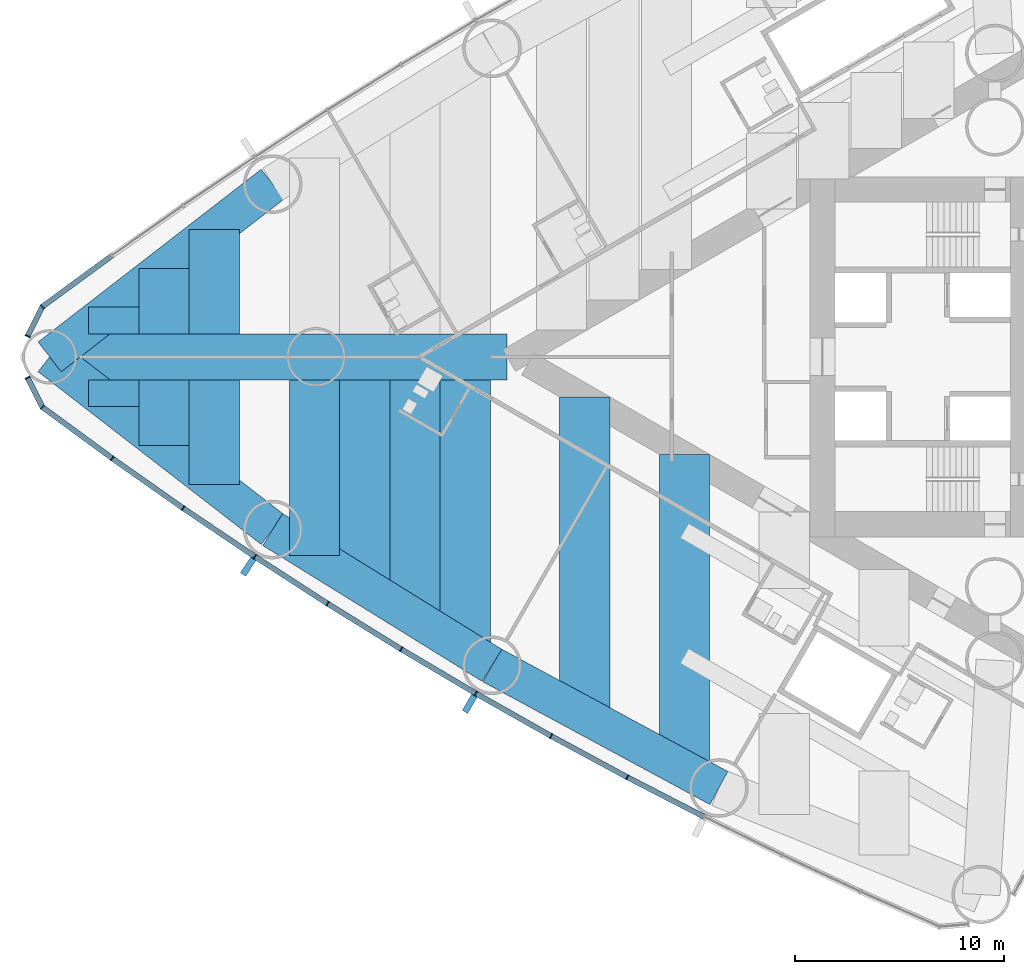
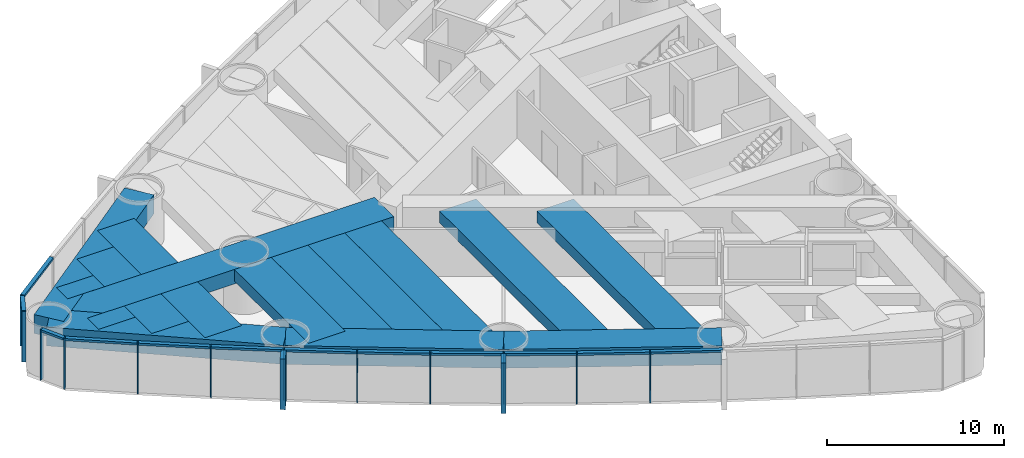
# One storey, part 2 of 19: 26 members, 17 beams, 2 elements without a shape of their own.
"""IFC4 building model written with IfcOpenShell, lengths in metres."""

from ifc_helpers import new_model, si_unit, direction, frame, origin, origin_2d, place, context, subcontext, project, spatial, rectangle, extrude, material, material_profile, profile_set, type_object, element, aggregate, save


model = new_model("IFC4")

# Units and contexts
model_context = context("Model", 3, precision=1e-05, world=origin(), true_north=direction((0.0, 1.0)))
body_context = subcontext(model_context, "Body", "Model", "MODEL_VIEW")
ifc_project = project(units=[si_unit("LENGTHUNIT", "METRE"), si_unit("AREAUNIT", "SQUARE_METRE"), si_unit("VOLUMEUNIT", "CUBIC_METRE"), si_unit("PLANEANGLEUNIT", "RADIAN"), si_unit("MASSUNIT", "GRAM", prefix="KILO")], contexts=[model_context])

# Site, building, storey
site_placement = place(None, origin())
site = spatial("IfcSite", under=ifc_project, at=site_placement, CompositionType="ELEMENT")
building_placement = place(site_placement, origin())
building = spatial("IfcBuilding", under=site, at=building_placement, Name="Lancet Gate Hotel", CompositionType="ELEMENT")
storey_placement = place(building_placement, frame((0.0, 0.0, 63.5)))
storey = spatial("IfcBuildingStorey", under=building, at=storey_placement, Name="L16", CompositionType="ELEMENT", Elevation=63.5)

# Curtain wall, members
ifc_material_1 = material(Name="Aluminium curtain wall", Category="aluminium")
curtain_wall_type = type_object("IfcCurtainWallType", Name="Tower unitised curtain wall", PredefinedType="USERDEFINED", material=ifc_material_1)
curtain_wall_1_placement = place(storey_placement, origin())
curtain_wall_1 = element("IfcCurtainWall", 1, at=curtain_wall_1_placement, inside=storey, type_object=curtain_wall_type, Name="T1 L16 curtain wall 2", ObjectType="UNITISED CURTAIN WALL", PredefinedType="USERDEFINED")
ifc_material_2 = material(Name="Aluminium mullion", Category="aluminium")
ifc_material_profile_1 = material_profile(ifc_material_2, rectangle(XDim=0.06494140625, YDim=0.25, at=origin_2d()), Name="MULLION 65x250")
ifc_profile_set_1 = profile_set([ifc_material_profile_1], Name="Aluminium mullion")
member_type_1 = type_object("IfcMemberType", Name="Aluminium mullion 65x250", PredefinedType="MULLION", material=ifc_profile_set_1)
member_1_placement = place(storey_placement, frame((-74.5830078125, 2.401611328125, 0.0), z_axis=(0.0, 0.0, 1.0), x_axis=(-0.723695580132, -0.690119342793, 0.0)))
member_1 = element("IfcMember", 2, at=member_1_placement, type_object=member_type_1, Name="T1 L16 curtain wall 2 mullion 14", PredefinedType="MULLION", context=body_context, shape_type="SweptSolid", body=[
    extrude(rectangle(XDim=0.06494140625, YDim=0.25, at=origin_2d()), origin(), (0.0, 0.0, 1.0), 3.5),
])
member_2_placement = place(storey_placement, frame((-75.287109375, 0.994873046875, 0.0), z_axis=(0.0, 0.0, 1.0), x_axis=(-0.447628324726, -0.89421970617, 0.0)))
member_2 = element("IfcMember", 3, at=member_2_placement, type_object=member_type_1, Name="T1 L16 curtain wall 2 mullion 15", PredefinedType="MULLION", context=body_context, shape_type="SweptSolid", body=[
    extrude(rectangle(XDim=0.06494140625, YDim=0.25, at=origin_2d()), origin(), (0.0, 0.0, 1.0), 3.5),
])

curtain_wall_2_placement = place(storey_placement, origin())
curtain_wall_2 = element("IfcCurtainWall", 4, at=curtain_wall_2_placement, inside=storey, type_object=curtain_wall_type, Name="T1 L16 curtain wall 3", ObjectType="UNITISED CURTAIN WALL", PredefinedType="USERDEFINED")
member_3_placement = place(storey_placement, frame((-75.287109375, -0.994873046875, 0.0), z_axis=(0.0, 0.0, 1.0), x_axis=(0.447628324726, -0.89421970617, 0.0)))
member_3 = element("IfcMember", 5, at=member_3_placement, type_object=member_type_1, Name="T1 L16 curtain wall 3 mullion 1", PredefinedType="MULLION", context=body_context, shape_type="SweptSolid", body=[
    extrude(rectangle(XDim=0.06494140625, YDim=0.25, at=origin_2d()), origin(), (0.0, 0.0, 1.0), 3.5),
])
member_4_placement = place(storey_placement, frame((-74.5830078125, -2.401611328125, 0.0), z_axis=(0.0, 0.0, 1.0), x_axis=(0.723695580132, -0.690119342793, 0.0)))
member_4 = element("IfcMember", 6, at=member_4_placement, type_object=member_type_1, Name="T1 L16 curtain wall 3 mullion 2", PredefinedType="MULLION", context=body_context, shape_type="SweptSolid", body=[
    extrude(rectangle(XDim=0.06494140625, YDim=0.25, at=origin_2d()), origin(), (0.0, 0.0, 1.0), 3.5),
])
member_5_placement = place(storey_placement, frame((-71.244384765625, -4.85009765625, 0.0), z_axis=(0.0, 0.0, 1.0), x_axis=(0.812146623168, -0.583453393578, 0.0)))
member_5 = element("IfcMember", 7, at=member_5_placement, type_object=member_type_1, Name="T1 L16 curtain wall 3 mullion 3", PredefinedType="MULLION", context=body_context, shape_type="SweptSolid", body=[
    extrude(rectangle(XDim=0.06494140625, YDim=0.25, at=origin_2d()), origin(), (0.0, 0.0, 1.0), 3.5),
])
member_6_placement = place(storey_placement, frame((-67.858154296875, -7.232666015625, 0.0), z_axis=(0.0, 0.0, 1.0), x_axis=(0.823425148573, -0.56742490666, 0.0)))
member_6 = element("IfcMember", 8, at=member_6_placement, type_object=member_type_1, Name="T1 L16 curtain wall 3 mullion 4", PredefinedType="MULLION", context=body_context, shape_type="SweptSolid", body=[
    extrude(rectangle(XDim=0.06494140625, YDim=0.25, at=origin_2d()), origin(), (0.0, 0.0, 1.0), 3.5),
])
member_7_placement = place(storey_placement, frame((-64.42626953125, -9.548583984375, 0.0), z_axis=(0.0, 0.0, 1.0), x_axis=(0.834387381945, -0.55117846189, 0.0)))
member_7 = element("IfcMember", 9, at=member_7_placement, type_object=member_type_1, Name="T1 L16 curtain wall 3 mullion 5", PredefinedType="MULLION", context=body_context, shape_type="SweptSolid", body=[
    extrude(rectangle(XDim=0.06494140625, YDim=0.25, at=origin_2d()), origin(), (0.0, 0.0, 1.0), 3.5),
])
member_8_placement = place(storey_placement, frame((-60.949462890625, -11.796630859375, 0.0), z_axis=(0.0, 0.0, 1.0), x_axis=(0.845029112489, -0.534720299827, 0.0)))
member_8 = element("IfcMember", 10, at=member_8_placement, type_object=member_type_1, Name="T1 L16 curtain wall 3 mullion 6", PredefinedType="MULLION", context=body_context, shape_type="SweptSolid", body=[
    extrude(rectangle(XDim=0.06494140625, YDim=0.25, at=origin_2d()), origin(), (0.0, 0.0, 1.0), 3.5),
])
member_9_placement = place(storey_placement, frame((-57.42919921875, -13.97607421875, 0.0), z_axis=(0.0, 0.0, 1.0), x_axis=(0.855346252548, -0.518056742309, 0.0)))
member_9 = element("IfcMember", 11, at=member_9_placement, type_object=member_type_1, Name="T1 L16 curtain wall 3 mullion 7", PredefinedType="MULLION", context=body_context, shape_type="SweptSolid", body=[
    extrude(rectangle(XDim=0.06494140625, YDim=0.25, at=origin_2d()), origin(), (0.0, 0.0, 1.0), 3.5),
])
member_10_placement = place(storey_placement, frame((-53.866943359375, -16.086181640625, 0.0), z_axis=(0.0, 0.0, 1.0), x_axis=(0.86533483912, -0.501194190115, 0.0)))
member_10 = element("IfcMember", 12, at=member_10_placement, type_object=member_type_1, Name="T1 L16 curtain wall 3 mullion 8", PredefinedType="MULLION", context=body_context, shape_type="SweptSolid", body=[
    extrude(rectangle(XDim=0.06494140625, YDim=0.25, at=origin_2d()), origin(), (0.0, 0.0, 1.0), 3.5),
])
member_11_placement = place(storey_placement, frame((-50.26416015625, -18.1259765625, 0.0), z_axis=(0.0, 0.0, 1.0), x_axis=(0.874991035403, -0.484139120464, 0.0)))
member_11 = element("IfcMember", 13, at=member_11_placement, type_object=member_type_1, Name="T1 L16 curtain wall 3 mullion 9", PredefinedType="MULLION", context=body_context, shape_type="SweptSolid", body=[
    extrude(rectangle(XDim=0.06494140625, YDim=0.25, at=origin_2d()), origin(), (0.0, 0.0, 1.0), 3.5),
])
member_12_placement = place(storey_placement, frame((-46.6220703125, -20.094970703125, 0.0), z_axis=(0.0, 0.0, 1.0), x_axis=(0.884311132302, -0.466898084475, 0.0)))
member_12 = element("IfcMember", 14, at=member_12_placement, type_object=member_type_1, Name="T1 L16 curtain wall 3 mullion 10", PredefinedType="MULLION", context=body_context, shape_type="SweptSolid", body=[
    extrude(rectangle(XDim=0.06494140625, YDim=0.25, at=origin_2d()), origin(), (0.0, 0.0, 1.0), 3.5),
])

# Member
ifc_material_3 = material(Name="Aluminium transom", Category="aluminium")
ifc_material_profile_2 = material_profile(ifc_material_3, rectangle(XDim=0.25, YDim=0.14990234375, at=origin_2d()), Name="TRANSOM 250x150")
ifc_profile_set_2 = profile_set([ifc_material_profile_2], Name="Aluminium transom")
member_type_2 = type_object("IfcMemberType", Name="Aluminium transom 250x150", PredefinedType="USERDEFINED", material=ifc_profile_set_2)
member_13_placement = place(storey_placement, frame((-71.2705078125, 4.8310546875, 3.425048828125), z_axis=(-0.806366902144, -0.59141560609, 0.0), x_axis=(0.59141560609, -0.806366902144, 0.0)))
member_13 = element("IfcMember", 15, at=member_13_placement, type_object=member_type_2, Name="T1 L16 curtain wall 2 transom 13", ObjectType="TRANSOM", PredefinedType="USERDEFINED", context=body_context, shape_type="SweptSolid", body=[
    extrude(rectangle(XDim=0.25, YDim=0.14990234375, at=origin_2d()), origin(), (0.0, 0.0, 1.0), 4.0751953125),
])

member_14_placement = place(storey_placement, frame((-74.597412109375, 2.37255859375, 3.425048828125), z_axis=(-0.447731503446, -0.894168049542, 0.0), x_axis=(0.894168049542, -0.447731503446, 0.0)))
member_14 = element("IfcMember", 16, at=member_14_placement, type_object=member_type_2, Name="T1 L16 curtain wall 2 transom 14", ObjectType="TRANSOM", PredefinedType="USERDEFINED", context=body_context, shape_type="SweptSolid", body=[
    extrude(rectangle(XDim=0.25, YDim=0.14990234375, at=origin_2d()), origin(), (0.0, 0.0, 1.0), 1.50830078125),
])

aggregate(curtain_wall_1, [member_1, member_2, member_13, member_14])

member_15_placement = place(storey_placement, frame((-75.272705078125, -1.02392578125, 3.425048828125), z_axis=(0.447731503446, -0.894168049542, 0.0), x_axis=(0.894168049542, 0.447731503446, 0.0)))
member_15 = element("IfcMember", 17, at=member_15_placement, type_object=member_type_2, Name="T1 L16 curtain wall 3 transom 1", ObjectType="TRANSOM", PredefinedType="USERDEFINED", context=body_context, shape_type="SweptSolid", body=[
    extrude(rectangle(XDim=0.25, YDim=0.14990234375, at=origin_2d()), origin(), (0.0, 0.0, 1.0), 1.50830078125),
])

member_16_placement = place(storey_placement, frame((-74.556640625, -2.4208984375, 3.425048828125), z_axis=(0.806366902144, -0.59141560609, 0.0), x_axis=(0.59141560609, 0.806366902144, 0.0)))
member_16 = element("IfcMember", 18, at=member_16_placement, type_object=member_type_2, Name="T1 L16 curtain wall 3 transom 2", ObjectType="TRANSOM", PredefinedType="USERDEFINED", context=body_context, shape_type="SweptSolid", body=[
    extrude(rectangle(XDim=0.25, YDim=0.14990234375, at=origin_2d()), origin(), (0.0, 0.0, 1.0), 4.0751953125),
])

member_17_placement = place(storey_placement, frame((-71.2177734375, -4.868896484375, 3.425048828125), z_axis=(0.817833568345, -0.57545482402, 0.0), x_axis=(0.57545482402, 0.817833568345, 0.0)))
member_17 = element("IfcMember", 19, at=member_17_placement, type_object=member_type_2, Name="T1 L16 curtain wall 3 transom 3", ObjectType="TRANSOM", PredefinedType="USERDEFINED", context=body_context, shape_type="SweptSolid", body=[
    extrude(rectangle(XDim=0.25, YDim=0.14990234375, at=origin_2d()), origin(), (0.0, 0.0, 1.0), 4.075439453125),
])

member_18_placement = place(storey_placement, frame((-67.831298828125, -7.2509765625, 3.425048828125), z_axis=(0.828959086782, -0.559309245804, 0.0), x_axis=(0.559309245804, 0.828959086782, 0.0)))
member_18 = element("IfcMember", 20, at=member_18_placement, type_object=member_type_2, Name="T1 L16 curtain wall 3 transom 4", ObjectType="TRANSOM", PredefinedType="USERDEFINED", context=body_context, shape_type="SweptSolid", body=[
    extrude(rectangle(XDim=0.25, YDim=0.14990234375, at=origin_2d()), origin(), (0.0, 0.0, 1.0), 4.0751953125),
])

member_19_placement = place(storey_placement, frame((-64.39892578125, -9.566162109375, 3.425048828125), z_axis=(0.839729242404, -0.543005340169, 0.0), x_axis=(0.543005340169, 0.839729242404, 0.0)))
member_19 = element("IfcMember", 21, at=member_19_placement, type_object=member_type_2, Name="T1 L16 curtain wall 3 transom 5", ObjectType="TRANSOM", PredefinedType="USERDEFINED", context=body_context, shape_type="SweptSolid", body=[
    extrude(rectangle(XDim=0.25, YDim=0.14990234375, at=origin_2d()), origin(), (0.0, 0.0, 1.0), 4.0751953125),
])

member_20_placement = place(storey_placement, frame((-60.921875, -11.813720703125, 3.425048828125), z_axis=(0.850242165643, -0.526391736032, 0.0), x_axis=(0.526391736032, 0.850242165643, 0.0)))
member_20 = element("IfcMember", 22, at=member_20_placement, type_object=member_type_2, Name="T1 L16 curtain wall 3 transom 6", ObjectType="TRANSOM", PredefinedType="USERDEFINED", context=body_context, shape_type="SweptSolid", body=[
    extrude(rectangle(XDim=0.25, YDim=0.14990234375, at=origin_2d()), origin(), (0.0, 0.0, 1.0), 4.075439453125),
])

member_21_placement = place(storey_placement, frame((-57.4013671875, -13.99267578125, 3.425048828125), z_axis=(0.86039174806, -0.509633240547, 0.0), x_axis=(0.509633240547, 0.86039174806, 0.0)))
member_21 = element("IfcMember", 23, at=member_21_placement, type_object=member_type_2, Name="T1 L16 curtain wall 3 transom 7", ObjectType="TRANSOM", PredefinedType="USERDEFINED", context=body_context, shape_type="SweptSolid", body=[
    extrude(rectangle(XDim=0.25, YDim=0.14990234375, at=origin_2d()), origin(), (0.0, 0.0, 1.0), 4.0751953125),
])

member_22_placement = place(storey_placement, frame((-53.838623046875, -16.102294921875, 3.425048828125), z_axis=(0.870197729943, -0.492702659625, 0.0), x_axis=(0.492702659625, 0.870197729943, 0.0)))
member_22 = element("IfcMember", 24, at=member_22_placement, type_object=member_type_2, Name="T1 L16 curtain wall 3 transom 8", ObjectType="TRANSOM", PredefinedType="USERDEFINED", context=body_context, shape_type="SweptSolid", body=[
    extrude(rectangle(XDim=0.25, YDim=0.14990234375, at=origin_2d()), origin(), (0.0, 0.0, 1.0), 4.0751953125),
])

member_23_placement = place(storey_placement, frame((-50.235595703125, -18.1416015625, 3.425048828125), z_axis=(0.87971396408, -0.475503250675, 0.0), x_axis=(0.475503250675, 0.87971396408, 0.0)))
member_23 = element("IfcMember", 25, at=member_23_placement, type_object=member_type_2, Name="T1 L16 curtain wall 3 transom 9", ObjectType="TRANSOM", PredefinedType="USERDEFINED", context=body_context, shape_type="SweptSolid", body=[
    extrude(rectangle(XDim=0.25, YDim=0.14990234375, at=origin_2d()), origin(), (0.0, 0.0, 1.0), 4.0751953125),
])

member_24_placement = place(storey_placement, frame((-46.593017578125, -20.10986328125, 3.425048828125), z_axis=(0.888859972399, -0.458178949175, 0.0), x_axis=(0.458178949175, 0.888859972399, 0.0)))
member_24 = element("IfcMember", 26, at=member_24_placement, type_object=member_type_2, Name="T1 L16 curtain wall 3 transom 10", ObjectType="TRANSOM", PredefinedType="USERDEFINED", context=body_context, shape_type="SweptSolid", body=[
    extrude(rectangle(XDim=0.25, YDim=0.14990234375, at=origin_2d()), origin(), (0.0, 0.0, 1.0), 4.0751953125),
])

# Beams
ifc_material_4 = material(Name="Concrete C50/60", Category="concrete")
ifc_material_profile_3 = material_profile(ifc_material_4, rectangle(XDim=1.800048828125, YDim=1.300048828125, at=origin_2d()), Name="RC 1800x1300")
ifc_profile_set_3 = profile_set([ifc_material_profile_3], Name="Concrete C50/60")
beam_type_1 = type_object("IfcBeamType", Name="Edge beam RC 1800x1300", PredefinedType="SPANDREL", material=ifc_profile_set_3)
for number, where, z_axis, x_axis, name in (
    (27, (-63.57177734375, 8.255126953125, 2.60009765625), (-0.790736428665, -0.612156761281, 0.0), (0.612156761281, -0.790736428665, 0.0), "T1 edge beam EB1 L16"),
    (28, (-74.235107421875, 0.0, 2.60009765625), (0.790736428665, -0.612156761281, 0.0), (0.612156761281, 0.790736428665, 0.0), "T1 edge beam EB1 L16"),
):
    element("IfcBeam", number, at=place(storey_placement, frame(where, z_axis=z_axis, x_axis=x_axis)), inside=storey, type_object=beam_type_1, Name=name, PredefinedType="SPANDREL", context=body_context, shape_type="SweptSolid", body=[
        extrude(rectangle(XDim=1.800048828125, YDim=1.300048828125, at=origin_2d()), origin(), (0.0, 0.0, 1.0), 13.4853515625),
    ])
for number, where, z_axis, x_axis, name in (
    (29, (-63.57177734375, -8.255126953125, 2.60009765625), (0.850225894333, -0.526418016984, 0.0), (0.526418016984, 0.850225894333, 0.0), "T1 edge beam EB1 L16"),
    (30, (-53.090087890625, -14.744873046875, 2.60009765625), (0.879692855603, -0.475542300749, 0.0), (0.475542300749, 0.879692855603, 0.0), "T1 edge beam EB1 L16"),
):
    element("IfcBeam", number, at=place(storey_placement, frame(where, z_axis=z_axis, x_axis=x_axis)), inside=storey, type_object=beam_type_1, Name=name, PredefinedType="SPANDREL", context=body_context, shape_type="SweptSolid", body=[
        extrude(rectangle(XDim=1.800048828125, YDim=1.300048828125, at=origin_2d()), origin(), (0.0, 0.0, 1.0), 12.328125),
    ])

# Member
ifc_material_5 = material(Name="Precast concrete C50/60", Category="concrete")
ifc_material_profile_4 = material_profile(ifc_material_5, rectangle(XDim=0.300048828125, YDim=0.89990234375, at=origin_2d()), Name="FIN 300x900")
ifc_profile_set_4 = profile_set([ifc_material_profile_4], Name="Precast concrete C50/60")
member_type_3 = type_object("IfcMemberType", Name="Exposed concrete fin 300x900", PredefinedType="USERDEFINED", material=ifc_profile_set_4)
member_25_placement = place(storey_placement, frame((-64.7431640625, -10.0283203125, 0.0), z_axis=(0.0, 0.0, 1.0), x_axis=(0.834387381945, -0.55117846189, 0.0)))
member_25 = element("IfcMember", 31, at=member_25_placement, type_object=member_type_3, Name="T1 L16 curtain wall 3 fin 5", ObjectType="FIN", PredefinedType="USERDEFINED", context=body_context, shape_type="SweptSolid", body=[
    extrude(rectangle(XDim=0.300048828125, YDim=0.89990234375, at=origin_2d()), origin(), (0.0, 0.0, 1.0), 3.5),
])

member_26_placement = place(storey_placement, frame((-54.1552734375, -16.583740234375, 0.0), z_axis=(0.0, 0.0, 1.0), x_axis=(0.86533483912, -0.501194190115, 0.0)))
member_26 = element("IfcMember", 32, at=member_26_placement, type_object=member_type_3, Name="T1 L16 curtain wall 3 fin 8", ObjectType="FIN", PredefinedType="USERDEFINED", context=body_context, shape_type="SweptSolid", body=[
    extrude(rectangle(XDim=0.300048828125, YDim=0.89990234375, at=origin_2d()), origin(), (0.0, 0.0, 1.0), 3.5),
])

aggregate(curtain_wall_2, [member_3, member_4, member_5, member_6, member_7, member_25, member_8, member_9, member_10, member_26, member_11, member_12, member_15, member_16, member_17, member_18, member_19, member_20, member_21, member_22, member_23, member_24])

# Beams
ifc_material_6 = material(Name="Concrete C50/60", Category="concrete")
ifc_material_profile_5 = material_profile(ifc_material_6, rectangle(XDim=2.39990234375, YDim=0.800048828125, at=origin_2d()), Name="RC 2400x800")
ifc_profile_set_5 = profile_set([ifc_material_profile_5], Name="Concrete C50/60")
beam_type_2 = type_object("IfcBeamType", Name="Floor beam RC 2400x800", PredefinedType="BEAM", material=ifc_profile_set_5)
beam_1_placement = place(storey_placement, frame((-43.891357421875, -4.663330078125, 2.85009765625), z_axis=(0.0, -1.0, 0.0), x_axis=(1.0, 0.0, 0.0)))
element("IfcBeam", 33, at=beam_1_placement, inside=storey, type_object=beam_type_2, Name="T1 floor beam F08N L16", PredefinedType="BEAM", context=body_context, shape_type="SweptSolid", body=[
    extrude(rectangle(XDim=2.39990234375, YDim=0.800048828125, at=origin_2d()), origin(), (0.0, 0.0, 1.0), 15.05419921875),
])
beam_2_placement = place(storey_placement, frame((-48.66015625, -1.909912109375, 2.85009765625), z_axis=(0.0, -1.0, 0.0), x_axis=(1.0, 0.0, 0.0)))
element("IfcBeam", 34, at=beam_2_placement, inside=storey, type_object=beam_type_2, Name="T1 floor beam F11N L16", PredefinedType="BEAM", context=body_context, shape_type="SweptSolid", body=[
    extrude(rectangle(XDim=2.39990234375, YDim=0.800048828125, at=origin_2d()), origin(), (0.0, 0.0, 1.0), 15.229736328125),
])
beam_3_placement = place(storey_placement, frame((-54.3681640625, -1.10009765625, 2.85009765625), z_axis=(0.0, -1.0, 0.0), x_axis=(1.0, 0.0, 0.0)))
element("IfcBeam", 35, at=beam_3_placement, inside=storey, type_object=beam_type_2, Name="T1 floor beam F14N L16", PredefinedType="BEAM", context=body_context, shape_type="SweptSolid", body=[
    extrude(rectangle(XDim=2.39990234375, YDim=0.800048828125, at=origin_2d()), origin(), (0.0, 0.0, 1.0), 12.853515625),
])
beam_4_placement = place(storey_placement, frame((-56.768310546875, -1.10009765625, 2.85009765625), z_axis=(0.0, -1.0, 0.0), x_axis=(1.0, 0.0, 0.0)))
element("IfcBeam", 36, at=beam_4_placement, inside=storey, type_object=beam_type_2, Name="T1 floor beam F16N L16", PredefinedType="BEAM", context=body_context, shape_type="SweptSolid", body=[
    extrude(rectangle(XDim=2.39990234375, YDim=0.800048828125, at=origin_2d()), origin(), (0.0, 0.0, 1.0), 11.367431640625),
])
beam_5_placement = place(storey_placement, frame((-59.168212890625, -1.10009765625, 2.85009765625), z_axis=(0.0, -1.0, 0.0), x_axis=(1.0, 0.0, 0.0)))
element("IfcBeam", 37, at=beam_5_placement, inside=storey, type_object=beam_type_2, Name="T1 floor beam F18N L16", PredefinedType="BEAM", context=body_context, shape_type="SweptSolid", body=[
    extrude(rectangle(XDim=2.39990234375, YDim=0.800048828125, at=origin_2d()), origin(), (0.0, 0.0, 1.0), 9.881591796875),
])
beam_6_placement = place(storey_placement, frame((-61.568359375, -1.10009765625, 2.85009765625), z_axis=(0.0, -1.0, 0.0), x_axis=(1.0, 0.0, 0.0)))
element("IfcBeam", 38, at=beam_6_placement, inside=storey, type_object=beam_type_2, Name="T1 floor beam F20N L16", PredefinedType="BEAM", context=body_context, shape_type="SweptSolid", body=[
    extrude(rectangle(XDim=2.39990234375, YDim=0.800048828125, at=origin_2d()), origin(), (0.0, 0.0, 1.0), 8.395751953125),
])
for number, where, z_axis, x_axis, name in (
    (39, (-66.3681640625, 6.09033203125, 2.85009765625), (0.0, -1.0, 0.0), (1.0, 0.0, 0.0), "T1 floor beam F21S L16"),
    (40, (-66.3681640625, -1.10009765625, 2.85009765625), (0.0, -1.0, 0.0), (1.0, 0.0, 0.0), "T1 floor beam F22N L16"),
):
    element("IfcBeam", number, at=place(storey_placement, frame(where, z_axis=z_axis, x_axis=x_axis)), inside=storey, type_object=beam_type_2, Name=name, PredefinedType="BEAM", context=body_context, shape_type="SweptSolid", body=[
        extrude(rectangle(XDim=2.39990234375, YDim=0.800048828125, at=origin_2d()), origin(), (0.0, 0.0, 1.0), 4.990234375),
    ])
for number, where, z_axis, x_axis, name in (
    (41, (-68.768310546875, 4.232421875, 2.85009765625), (0.0, -1.0, 0.0), (1.0, 0.0, 0.0), "T1 floor beam F23S L16"),
    (42, (-68.768310546875, -1.10009765625, 2.85009765625), (0.0, -1.0, 0.0), (1.0, 0.0, 0.0), "T1 floor beam F24N L16"),
):
    element("IfcBeam", number, at=place(storey_placement, frame(where, z_axis=z_axis, x_axis=x_axis)), inside=storey, type_object=beam_type_2, Name=name, PredefinedType="BEAM", context=body_context, shape_type="SweptSolid", body=[
        extrude(rectangle(XDim=2.39990234375, YDim=0.800048828125, at=origin_2d()), origin(), (0.0, 0.0, 1.0), 3.13232421875),
    ])
for number, where, z_axis, x_axis, name in (
    (43, (-71.168212890625, 2.374267578125, 2.85009765625), (0.0, -1.0, 0.0), (1.0, 0.0, 0.0), "T1 floor beam F25S L16"),
    (44, (-71.168212890625, -1.10009765625, 2.85009765625), (0.0, -1.0, 0.0), (1.0, 0.0, 0.0), "T1 floor beam F26N L16"),
):
    element("IfcBeam", number, at=place(storey_placement, frame(where, z_axis=z_axis, x_axis=x_axis)), inside=storey, type_object=beam_type_2, Name=name, PredefinedType="BEAM", context=body_context, shape_type="SweptSolid", body=[
        extrude(rectangle(XDim=2.39990234375, YDim=0.800048828125, at=origin_2d()), origin(), (0.0, 0.0, 1.0), 1.274169921875),
    ])
ifc_material_7 = material(Name="Concrete C50/60", Category="concrete")
ifc_material_profile_6 = material_profile(ifc_material_7, rectangle(XDim=2.199951171875, YDim=1.0, at=origin_2d()), Name="RC 2200x1000")
ifc_profile_set_6 = profile_set([ifc_material_profile_6], Name="Concrete C50/60")
beam_type_3 = type_object("IfcBeamType", Name="Radial floor beam RC 2200x1000", PredefinedType="BEAM", material=ifc_profile_set_6)
beam_7_placement = place(storey_placement, frame((-74.235107421875, 0.0, 2.75), z_axis=(1.0, 0.0, 0.0), x_axis=(0.0, 1.0, 0.0)))
element("IfcBeam", 45, at=beam_7_placement, inside=storey, type_object=beam_type_3, Name="T1 radial beam CA L16", PredefinedType="BEAM", context=body_context, shape_type="SweptSolid", body=[
    extrude(rectangle(XDim=2.199951171875, YDim=1.0, at=origin_2d()), origin(), (0.0, 0.0, 1.0), 21.866943359375),
])

save(model, "model.ifc")
